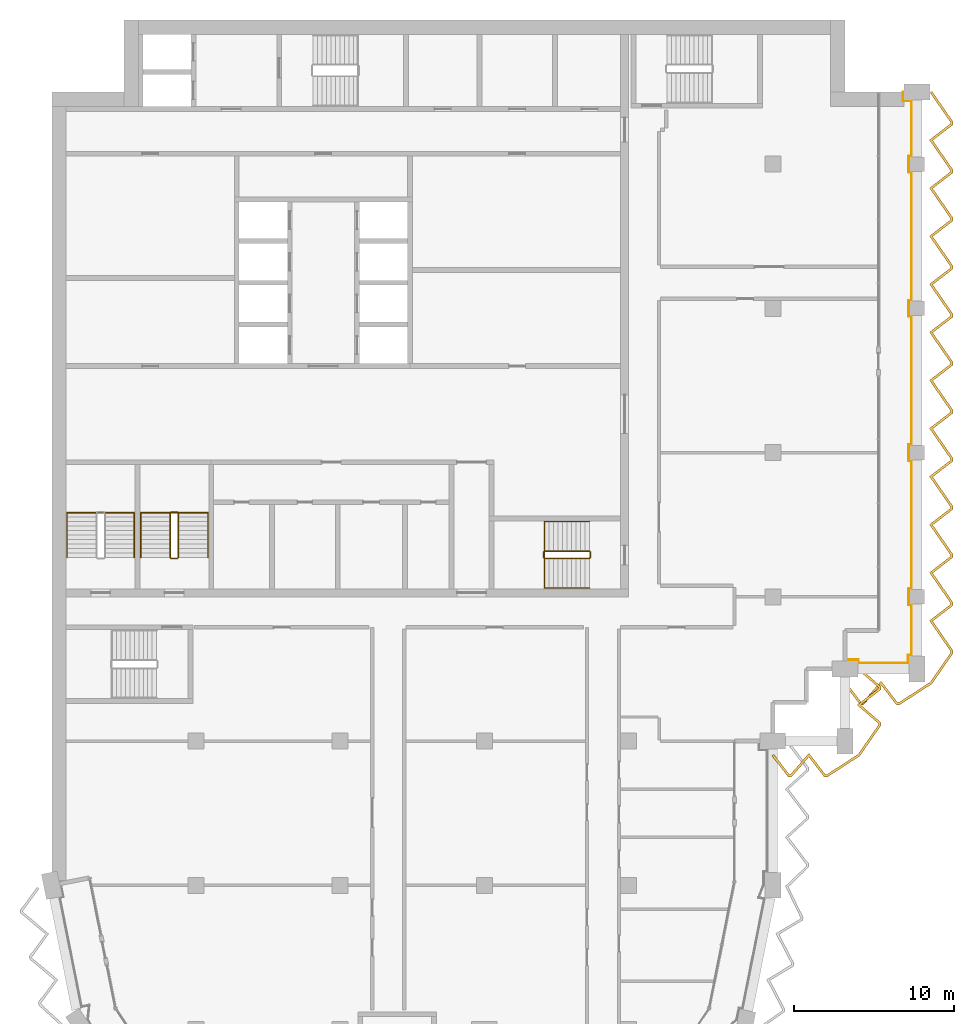
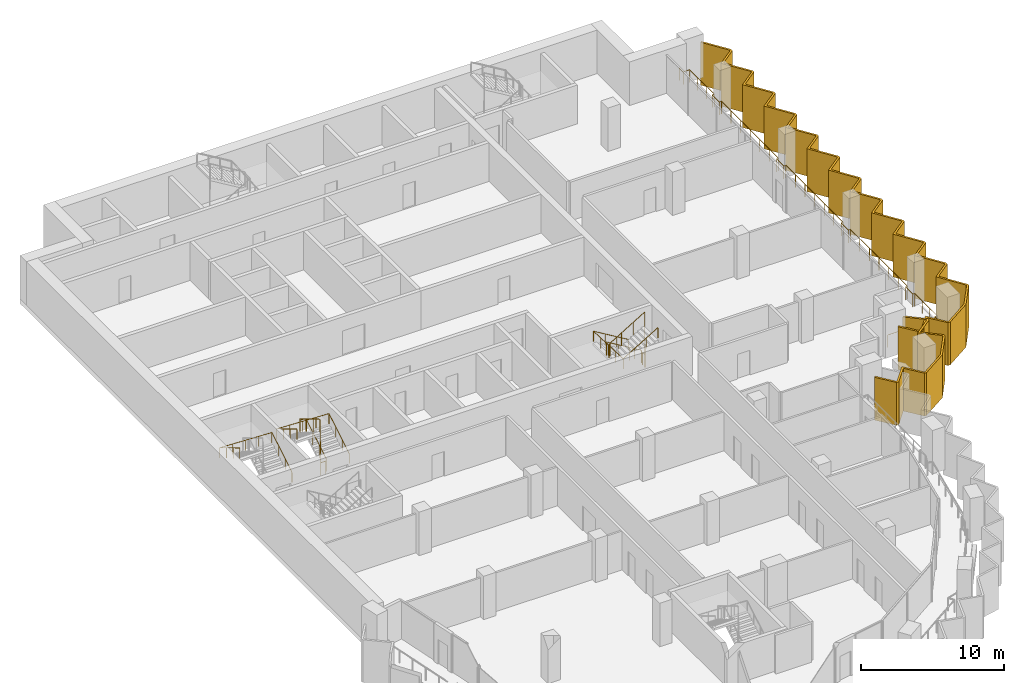
# One storey, part 15 of 16: 6 railings, 2 shading devices.
"""IFC4 building model written with IfcOpenShell, lengths in metres."""

from ifc_helpers import new_model, si_unit, direction, frame, origin, origin_2d, place, context, subcontext, project, spatial, polyline, circle, outline, extrude, material, layer, layer_set, type_object, element, save


model = new_model("IFC4")

# Units and contexts
model_context = context("Model", 3, precision=1e-05, world=origin(), true_north=direction((0.0, 1.0)))
body_context = subcontext(model_context, "Body", "Model", "MODEL_VIEW")
ifc_project = project(units=[si_unit("LENGTHUNIT", "METRE"), si_unit("AREAUNIT", "SQUARE_METRE"), si_unit("VOLUMEUNIT", "CUBIC_METRE"), si_unit("PLANEANGLEUNIT", "RADIAN"), si_unit("MASSUNIT", "GRAM", prefix="KILO")], contexts=[model_context])

# Site, building, storey
site_placement = place(None, origin())
site = spatial("IfcSite", under=ifc_project, at=site_placement, CompositionType="ELEMENT")
building_placement = place(site_placement, origin())
building = spatial("IfcBuilding", under=site, at=building_placement, Name="Hunhe Ridgeline Campus", CompositionType="ELEMENT")
storey_placement = place(building_placement, frame((0.0, 0.0, 261.39990234375)))
storey = spatial("IfcBuildingStorey", under=building, at=storey_placement, Name="L67", CompositionType="ELEMENT", Elevation=261.39990234375)

# Railing
ifc_material_1 = material(Name="Steel Q355", Category="steel")
railing_type_1 = type_object("IfcRailingType", Name="Loggia guard 1100 Steel Q355", PredefinedType="GUARDRAIL", material=ifc_material_1)
railing_1_placement = place(storey_placement, frame((49.5, 59.070068359375, 0.0)))
element("IfcRailing", 1, at=railing_1_placement, inside=storey, type_object=railing_type_1, Name="Loggia guard 2", PredefinedType="GUARDRAIL", context=body_context, shape_type="SweptSolid", body=[
    extrude(circle(Radius=0.02392578125, at=origin_2d()), frame((0.0, 0.0, 1.076171875), z_axis=(1.0, 0.0, 0.0), x_axis=(0.0, 1.0, 0.0)), (0.0, 0.0, 1.0), 0.85009765625),
    extrude(circle(Radius=0.02392578125, at=origin_2d()), frame((0.85009765625, 0.0, 1.076171875), z_axis=(0.0, -1.0, 0.0), x_axis=(1.0, 0.0, 0.0)), (0.0, 0.0, 1.0), 0.219970703125),
    extrude(circle(Radius=0.02392578125, at=origin_2d()), frame((0.85009765625, -0.219970703125, 1.076171875), z_axis=(1.0, 0.0, 0.0), x_axis=(0.0, 1.0, 0.0)), (0.0, 0.0, 1.0), 3.099853515625),
    extrude(circle(Radius=0.02392578125, at=origin_2d()), frame((3.949951171875, -0.219970703125, 1.076171875), z_axis=(0.0, 1.0, 0.0), x_axis=(-1.0, 0.0, 0.0)), (0.0, 0.0, 1.0), 0.52001953125),
    extrude(circle(Radius=0.02392578125, at=origin_2d()), frame((3.949951171875, 0.300048828125, 1.076171875), z_axis=(-0.066572895244, -0.99778156408, 0.0), x_axis=(0.99778156408, -0.066572895244, 0.0)), (0.0, 0.0, 1.0), 0.30078125),
    extrude(circle(Radius=0.02392578125, at=origin_2d()), frame((3.929931640625, 0.0, 1.076171875), z_axis=(0.0, 1.0, 0.0), x_axis=(-1.0, 0.0, 0.0)), (0.0, 0.0, 1.0), 0.280029296875),
    extrude(circle(Radius=0.02392578125, at=origin_2d()), frame((3.929931640625, 0.280029296875, 1.076171875), z_axis=(1.0, 0.0, 0.0), x_axis=(0.0, 1.0, 0.0)), (0.0, 0.0, 1.0), 0.219970703125),
    extrude(circle(Radius=0.02392578125, at=origin_2d()), frame((4.14990234375, 0.280029296875, 1.076171875), z_axis=(0.0, 1.0, 0.0), x_axis=(-1.0, 0.0, 0.0)), (0.0, 0.0, 1.0), 3.14990234375),
    extrude(circle(Radius=0.02392578125, at=origin_2d()), frame((4.14990234375, 3.429931640625, 1.076171875), z_axis=(-1.0, 0.0, 0.0), x_axis=(0.0, -1.0, 0.0)), (0.0, 0.0, 1.0), 0.169921875),
    extrude(circle(Radius=0.02392578125, at=origin_2d()), frame((3.97998046875, 3.429931640625, 1.076171875), z_axis=(0.0, 1.0, 0.0), x_axis=(-1.0, 0.0, 0.0)), (0.0, 0.0, 1.0), 1.0),
    extrude(circle(Radius=0.02392578125, at=origin_2d()), frame((3.97998046875, 4.429931640625, 1.076171875), z_axis=(1.0, 0.0, 0.0), x_axis=(0.0, 1.0, 0.0)), (0.0, 0.0, 1.0), 0.169921875),
    extrude(circle(Radius=0.02392578125, at=origin_2d()), frame((4.14990234375, 4.429931640625, 1.076171875), z_axis=(0.0, 1.0, 0.0), x_axis=(-1.0, 0.0, 0.0)), (0.0, 0.0, 1.0), 8.0),
    extrude(circle(Radius=0.02392578125, at=origin_2d()), frame((4.14990234375, 12.429931640625, 1.076171875), z_axis=(-1.0, 0.0, 0.0), x_axis=(0.0, -1.0, 0.0)), (0.0, 0.0, 1.0), 0.169921875),
    extrude(circle(Radius=0.02392578125, at=origin_2d()), frame((3.97998046875, 12.429931640625, 1.076171875), z_axis=(0.0, 1.0, 0.0), x_axis=(-1.0, 0.0, 0.0)), (0.0, 0.0, 1.0), 1.0),
    extrude(circle(Radius=0.02392578125, at=origin_2d()), frame((3.97998046875, 13.429931640625, 1.076171875), z_axis=(1.0, 0.0, 0.0), x_axis=(0.0, 1.0, 0.0)), (0.0, 0.0, 1.0), 0.169921875),
    extrude(circle(Radius=0.02392578125, at=origin_2d()), frame((4.14990234375, 13.429931640625, 1.076171875), z_axis=(0.0, 1.0, 0.0), x_axis=(-1.0, 0.0, 0.0)), (0.0, 0.0, 1.0), 8.0),
    extrude(circle(Radius=0.02392578125, at=origin_2d()), frame((4.14990234375, 21.429931640625, 1.076171875), z_axis=(-1.0, 0.0, 0.0), x_axis=(0.0, -1.0, 0.0)), (0.0, 0.0, 1.0), 0.169921875),
    extrude(circle(Radius=0.02392578125, at=origin_2d()), frame((3.97998046875, 21.429931640625, 1.076171875), z_axis=(0.0, 1.0, 0.0), x_axis=(-1.0, 0.0, 0.0)), (0.0, 0.0, 1.0), 1.0),
    extrude(circle(Radius=0.02392578125, at=origin_2d()), frame((3.97998046875, 22.429931640625, 1.076171875), z_axis=(1.0, 0.0, 0.0), x_axis=(0.0, 1.0, 0.0)), (0.0, 0.0, 1.0), 0.169921875),
    extrude(circle(Radius=0.02392578125, at=origin_2d()), frame((4.14990234375, 22.429931640625, 1.076171875), z_axis=(0.0, 1.0, 0.0), x_axis=(-1.0, 0.0, 0.0)), (0.0, 0.0, 1.0), 8.0),
    extrude(circle(Radius=0.02392578125, at=origin_2d()), frame((4.14990234375, 30.429931640625, 1.076171875), z_axis=(-1.0, 0.0, 0.0), x_axis=(0.0, -1.0, 0.0)), (0.0, 0.0, 1.0), 0.169921875),
    extrude(circle(Radius=0.02392578125, at=origin_2d()), frame((3.97998046875, 30.429931640625, 1.076171875), z_axis=(0.0, 1.0, 0.0), x_axis=(-1.0, 0.0, 0.0)), (0.0, 0.0, 1.0), 1.0),
    extrude(circle(Radius=0.02392578125, at=origin_2d()), frame((3.97998046875, 31.429931640625, 1.076171875), z_axis=(1.0, 0.0, 0.0), x_axis=(0.0, 1.0, 0.0)), (0.0, 0.0, 1.0), 0.169921875),
    extrude(circle(Radius=0.02392578125, at=origin_2d()), frame((4.14990234375, 31.429931640625, 1.076171875), z_axis=(0.0, 1.0, 0.0), x_axis=(-1.0, 0.0, 0.0)), (0.0, 0.0, 1.0), 3.449951171875),
    extrude(circle(Radius=0.02392578125, at=origin_2d()), frame((4.14990234375, 34.8798828125, 1.076171875), z_axis=(-1.0, 0.0, 0.0), x_axis=(0.0, -1.0, 0.0)), (0.0, 0.0, 1.0), 0.52001953125),
    extrude(circle(Radius=0.02392578125, at=origin_2d()), frame((3.6298828125, 34.8798828125, 1.076171875), z_axis=(0.0, 1.0, 0.0), x_axis=(-1.0, 0.0, 0.0)), (0.0, 0.0, 1.0), 0.550048828125),
    extrude(circle(Radius=0.02099609375, at=origin_2d()), origin(), (0.0, 0.0, 1.0), 1.052001953125),
    extrude(circle(Radius=0.02099609375, at=origin_2d()), frame((0.85009765625, 0.0, 0.0)), (0.0, 0.0, 1.0), 1.052001953125),
    extrude(circle(Radius=0.02099609375, at=origin_2d()), frame((0.85009765625, -0.219970703125, 0.0)), (0.0, 0.0, 1.0), 1.052001953125),
    extrude(circle(Radius=0.02099609375, at=origin_2d()), frame((1.88330078125, -0.219970703125, 0.0)), (0.0, 0.0, 1.0), 1.052001953125),
    extrude(circle(Radius=0.02099609375, at=origin_2d()), frame((2.916748046875, -0.219970703125, 0.0)), (0.0, 0.0, 1.0), 1.052001953125),
    extrude(circle(Radius=0.02099609375, at=origin_2d()), frame((3.949951171875, -0.219970703125, 0.0)), (0.0, 0.0, 1.0), 1.052001953125),
    extrude(circle(Radius=0.02099609375, at=origin_2d()), frame((3.949951171875, 0.300048828125, 0.0)), (0.0, 0.0, 1.0), 1.052001953125),
    extrude(circle(Radius=0.02099609375, at=origin_2d()), frame((3.929931640625, 0.0, 0.0)), (0.0, 0.0, 1.0), 1.052001953125),
    extrude(circle(Radius=0.02099609375, at=origin_2d()), frame((3.929931640625, 0.280029296875, 0.0)), (0.0, 0.0, 1.0), 1.052001953125),
    extrude(circle(Radius=0.02099609375, at=origin_2d()), frame((4.14990234375, 0.280029296875, 0.0)), (0.0, 0.0, 1.0), 1.052001953125),
    extrude(circle(Radius=0.02099609375, at=origin_2d()), frame((4.14990234375, 1.330078125, 0.0)), (0.0, 0.0, 1.0), 1.052001953125),
    extrude(circle(Radius=0.02099609375, at=origin_2d()), frame((4.14990234375, 2.3798828125, 0.0)), (0.0, 0.0, 1.0), 1.052001953125),
    extrude(circle(Radius=0.02099609375, at=origin_2d()), frame((4.14990234375, 3.429931640625, 0.0)), (0.0, 0.0, 1.0), 1.052001953125),
    extrude(circle(Radius=0.02099609375, at=origin_2d()), frame((3.97998046875, 3.429931640625, 0.0)), (0.0, 0.0, 1.0), 1.052001953125),
    extrude(circle(Radius=0.02099609375, at=origin_2d()), frame((3.97998046875, 4.429931640625, 0.0)), (0.0, 0.0, 1.0), 1.052001953125),
    extrude(circle(Radius=0.02099609375, at=origin_2d()), frame((4.14990234375, 4.429931640625, 0.0)), (0.0, 0.0, 1.0), 1.052001953125),
    extrude(circle(Radius=0.02099609375, at=origin_2d()), frame((4.14990234375, 5.76318359375, 0.0)), (0.0, 0.0, 1.0), 1.052001953125),
    extrude(circle(Radius=0.02099609375, at=origin_2d()), frame((4.14990234375, 7.0966796875, 0.0)), (0.0, 0.0, 1.0), 1.052001953125),
    extrude(circle(Radius=0.02099609375, at=origin_2d()), frame((4.14990234375, 8.429931640625, 0.0)), (0.0, 0.0, 1.0), 1.052001953125),
    extrude(circle(Radius=0.02099609375, at=origin_2d()), frame((4.14990234375, 9.76318359375, 0.0)), (0.0, 0.0, 1.0), 1.052001953125),
    extrude(circle(Radius=0.02099609375, at=origin_2d()), frame((4.14990234375, 11.0966796875, 0.0)), (0.0, 0.0, 1.0), 1.052001953125),
    extrude(circle(Radius=0.02099609375, at=origin_2d()), frame((4.14990234375, 12.429931640625, 0.0)), (0.0, 0.0, 1.0), 1.052001953125),
    extrude(circle(Radius=0.02099609375, at=origin_2d()), frame((3.97998046875, 12.429931640625, 0.0)), (0.0, 0.0, 1.0), 1.052001953125),
    extrude(circle(Radius=0.02099609375, at=origin_2d()), frame((3.97998046875, 13.429931640625, 0.0)), (0.0, 0.0, 1.0), 1.052001953125),
    extrude(circle(Radius=0.02099609375, at=origin_2d()), frame((4.14990234375, 13.429931640625, 0.0)), (0.0, 0.0, 1.0), 1.052001953125),
    extrude(circle(Radius=0.02099609375, at=origin_2d()), frame((4.14990234375, 14.76318359375, 0.0)), (0.0, 0.0, 1.0), 1.052001953125),
    extrude(circle(Radius=0.02099609375, at=origin_2d()), frame((4.14990234375, 16.0966796875, 0.0)), (0.0, 0.0, 1.0), 1.052001953125),
    extrude(circle(Radius=0.02099609375, at=origin_2d()), frame((4.14990234375, 17.429931640625, 0.0)), (0.0, 0.0, 1.0), 1.052001953125),
    extrude(circle(Radius=0.02099609375, at=origin_2d()), frame((4.14990234375, 18.76318359375, 0.0)), (0.0, 0.0, 1.0), 1.052001953125),
    extrude(circle(Radius=0.02099609375, at=origin_2d()), frame((4.14990234375, 20.0966796875, 0.0)), (0.0, 0.0, 1.0), 1.052001953125),
    extrude(circle(Radius=0.02099609375, at=origin_2d()), frame((4.14990234375, 21.429931640625, 0.0)), (0.0, 0.0, 1.0), 1.052001953125),
    extrude(circle(Radius=0.02099609375, at=origin_2d()), frame((3.97998046875, 21.429931640625, 0.0)), (0.0, 0.0, 1.0), 1.052001953125),
    extrude(circle(Radius=0.02099609375, at=origin_2d()), frame((3.97998046875, 22.429931640625, 0.0)), (0.0, 0.0, 1.0), 1.052001953125),
    extrude(circle(Radius=0.02099609375, at=origin_2d()), frame((4.14990234375, 22.429931640625, 0.0)), (0.0, 0.0, 1.0), 1.052001953125),
    extrude(circle(Radius=0.02099609375, at=origin_2d()), frame((4.14990234375, 23.76318359375, 0.0)), (0.0, 0.0, 1.0), 1.052001953125),
    extrude(circle(Radius=0.02099609375, at=origin_2d()), frame((4.14990234375, 25.0966796875, 0.0)), (0.0, 0.0, 1.0), 1.052001953125),
    extrude(circle(Radius=0.02099609375, at=origin_2d()), frame((4.14990234375, 26.429931640625, 0.0)), (0.0, 0.0, 1.0), 1.052001953125),
    extrude(circle(Radius=0.02099609375, at=origin_2d()), frame((4.14990234375, 27.76318359375, 0.0)), (0.0, 0.0, 1.0), 1.052001953125),
    extrude(circle(Radius=0.02099609375, at=origin_2d()), frame((4.14990234375, 29.0966796875, 0.0)), (0.0, 0.0, 1.0), 1.052001953125),
    extrude(circle(Radius=0.02099609375, at=origin_2d()), frame((4.14990234375, 30.429931640625, 0.0)), (0.0, 0.0, 1.0), 1.052001953125),
    extrude(circle(Radius=0.02099609375, at=origin_2d()), frame((3.97998046875, 30.429931640625, 0.0)), (0.0, 0.0, 1.0), 1.052001953125),
    extrude(circle(Radius=0.02099609375, at=origin_2d()), frame((3.97998046875, 31.429931640625, 0.0)), (0.0, 0.0, 1.0), 1.052001953125),
    extrude(circle(Radius=0.02099609375, at=origin_2d()), frame((4.14990234375, 31.429931640625, 0.0)), (0.0, 0.0, 1.0), 1.052001953125),
    extrude(circle(Radius=0.02099609375, at=origin_2d()), frame((4.14990234375, 32.579833984375, 0.0)), (0.0, 0.0, 1.0), 1.052001953125),
    extrude(circle(Radius=0.02099609375, at=origin_2d()), frame((4.14990234375, 33.72998046875, 0.0)), (0.0, 0.0, 1.0), 1.052001953125),
    extrude(circle(Radius=0.02099609375, at=origin_2d()), frame((4.14990234375, 34.8798828125, 0.0)), (0.0, 0.0, 1.0), 1.052001953125),
    extrude(circle(Radius=0.02099609375, at=origin_2d()), frame((3.6298828125, 34.8798828125, 0.0)), (0.0, 0.0, 1.0), 1.052001953125),
    extrude(circle(Radius=0.02099609375, at=origin_2d()), frame((3.6298828125, 35.429931640625, 0.0)), (0.0, 0.0, 1.0), 1.052001953125),
])

# Shading devices
ifc_material_2 = material(Name="Concrete C50", Category="concrete")
ifc_layer = layer(ifc_material_2, 0.14990234375)
ifc_layer_set = layer_set([ifc_layer], Name="Sawtooth concrete fin 150 Concrete C50")
shading_device_type = type_object("IfcShadingDeviceType", Name="Sawtooth concrete fin 150 Concrete C50", PredefinedType="USERDEFINED", material=ifc_layer_set)
shading_device_1_placement = place(storey_placement, frame((0.0, 0.0, -0.949951171875)))
element("IfcShadingDevice", 2, at=shading_device_1_placement, inside=storey, type_object=shading_device_type, Name="Concrete fin screen 2", ObjectType="FIN", PredefinedType="USERDEFINED", context=body_context, shape_type="SweptSolid", body=[
    extrude(outline(polyline([(45.059326171875, 53.1708984375), (44.940673828125, 53.0791015625), (45.965087890625, 51.75), (46.15625, 51.75), (47.24658203125, 53.006591796875), (48.215087890625, 51.75), (48.394287109375, 51.75), (50.42822265625, 53.070068359375), (51.75, 54.978515625), (51.75, 55.15625), (50.493408203125, 56.24658203125), (51.75, 57.215087890625), (51.75, 57.40625), (50.424072265625, 58.556640625), (50.325927734375, 58.443359375), (51.60009765625, 57.337890625), (51.60009765625, 57.288818359375), (50.256591796875, 56.25341796875), (51.60009765625, 55.087890625), (51.60009765625, 55.025390625), (50.32177734375, 53.179931640625), (48.349853515625, 51.89990234375), (48.288818359375, 51.89990234375), (47.25341796875, 53.243408203125), (46.087890625, 51.89990234375), (46.038818359375, 51.89990234375), (45.059326171875, 53.1708984375)])), origin(), (0.0, 0.0, 1.0), 3.650146484375),
])
shading_device_2_placement = place(storey_placement, frame((0.0, 0.0, -0.949951171875)))
element("IfcShadingDevice", 3, at=shading_device_2_placement, inside=storey, type_object=shading_device_type, Name="Concrete fin screen 3", ObjectType="FIN", PredefinedType="USERDEFINED", context=body_context, shape_type="SweptSolid", body=[
    extrude(outline(polyline([(49.559326171875, 57.6708984375), (49.440673828125, 57.5791015625), (50.465087890625, 56.25), (50.65625, 56.25), (51.74658203125, 57.506591796875), (52.715087890625, 56.25), (52.894287109375, 56.25), (54.92822265625, 57.570068359375), (56.25, 59.478515625), (56.25, 59.6455078125), (54.977294921875, 61.484130859375), (56.25, 62.465087890625), (56.25, 62.6455078125), (54.977294921875, 64.484130859375), (56.25, 65.465087890625), (56.25, 65.6455078125), (54.977294921875, 67.484130859375), (56.25, 68.465087890625), (56.25, 68.6455078125), (54.977294921875, 70.484130859375), (56.25, 71.465087890625), (56.25, 71.6455078125), (54.977294921875, 73.484130859375), (56.25, 74.465087890625), (56.25, 74.6455078125), (54.977294921875, 76.484130859375), (56.25, 77.465087890625), (56.25, 77.6455078125), (54.977294921875, 79.484130859375), (56.25, 80.465087890625), (56.25, 80.6455078125), (54.977294921875, 82.484130859375), (56.25, 83.465087890625), (56.25, 83.6455078125), (54.977294921875, 85.484130859375), (56.25, 86.465087890625), (56.25, 86.6455078125), (54.977294921875, 88.484130859375), (56.25, 89.465087890625), (56.25, 89.6455078125), (54.977294921875, 91.484130859375), (56.25, 92.465087890625), (56.25, 92.6455078125), (54.936767578125, 94.542724609375), (54.813232421875, 94.457275390625), (56.10009765625, 92.5986328125), (56.10009765625, 92.538818359375), (54.772705078125, 91.515869140625), (56.10009765625, 89.5986328125), (56.10009765625, 89.538818359375), (54.772705078125, 88.515869140625), (56.10009765625, 86.5986328125), (56.10009765625, 86.538818359375), (54.772705078125, 85.515869140625), (56.10009765625, 83.5986328125), (56.10009765625, 83.538818359375), (54.772705078125, 82.515869140625), (56.10009765625, 80.5986328125), (56.10009765625, 80.538818359375), (54.772705078125, 79.515869140625), (56.10009765625, 77.5986328125), (56.10009765625, 77.538818359375), (54.772705078125, 76.515869140625), (56.10009765625, 74.5986328125), (56.10009765625, 74.538818359375), (54.772705078125, 73.515869140625), (56.10009765625, 71.5986328125), (56.10009765625, 71.538818359375), (54.772705078125, 70.515869140625), (56.10009765625, 68.5986328125), (56.10009765625, 68.538818359375), (54.772705078125, 67.515869140625), (56.10009765625, 65.5986328125), (56.10009765625, 65.538818359375), (54.772705078125, 64.515869140625), (56.10009765625, 62.5986328125), (56.10009765625, 62.538818359375), (54.772705078125, 61.515869140625), (56.10009765625, 59.5986328125), (56.10009765625, 59.525390625), (54.82177734375, 57.679931640625), (52.849853515625, 56.39990234375), (52.788818359375, 56.39990234375), (51.75341796875, 57.743408203125), (50.587890625, 56.39990234375), (50.538818359375, 56.39990234375), (49.559326171875, 57.6708984375)])), origin(), (0.0, 0.0, 1.0), 3.650146484375),
])

# Railings
ifc_material_3 = material(Name="Stainless steel balustrade", Category="steel")
railing_type_2 = type_object("IfcRailingType", Name="Stair guard 1100 stainless", PredefinedType="GUARDRAIL", material=ifc_material_3)
railing_2_placement = place(storey_placement, frame((33.550048828125, 65.85009765625, 0.168212890625)))
element("IfcRailing", 4, at=railing_2_placement, inside=storey, type_object=railing_type_2, Name="L67 stair S2 guard", PredefinedType="GUARDRAIL", context=body_context, shape_type="SweptSolid", body=[
    extrude(circle(Radius=0.02392578125, at=origin_2d()), frame((0.0, 0.0, 1.076171875), z_axis=(-0.857242210791, 0.0, 0.514913383045), x_axis=(0.0, -1.0, 0.0)), (0.0, 0.0, 1.0), 3.266357421875),
    extrude(circle(Radius=0.02392578125, at=origin_2d()), frame((-2.800048828125, 0.0, 2.7578125), z_axis=(-0.707106781187, -0.707106781187, 0.0), x_axis=(0.707106781187, -0.707106781187, 0.0)), (0.0, 0.0, 1.0), 0.07080078125),
    extrude(circle(Radius=0.02392578125, at=origin_2d()), frame((-2.85009765625, -0.050048828125, 2.7578125), z_axis=(0.0, -1.0, 0.0), x_axis=(1.0, 0.0, 0.0)), (0.0, 0.0, 1.0), 0.35009765625),
    extrude(circle(Radius=0.02392578125, at=origin_2d()), frame((-2.85009765625, -0.400146484375, 2.7578125), z_axis=(0.274243871929, -0.274243871929, 0.92172696468), x_axis=(0.707106781187, 0.707106781187, 0.0)), (0.0, 0.0, 1.0), 0.1826171875),
    extrude(circle(Radius=0.02392578125, at=origin_2d()), frame((-2.800048828125, -0.4501953125, 2.92626953125), z_axis=(0.857242210791, 0.0, 0.514913383045), x_axis=(0.0, 1.0, 0.0)), (0.0, 0.0, 1.0), 3.266357421875),
    extrude(circle(Radius=0.02392578125, at=origin_2d()), frame((0.0, -0.4501953125, 4.60791015625), z_axis=(0.013523522368, 0.013523522368, -0.999817097616), x_axis=(-0.707106781187, 0.707106781187, 0.0)), (0.0, 0.0, 1.0), 3.700927734375),
    extrude(circle(Radius=0.02392578125, at=origin_2d()), frame((0.050048828125, -0.400146484375, 0.90771484375), z_axis=(0.0, 1.0, 0.0), x_axis=(-1.0, 0.0, 0.0)), (0.0, 0.0, 1.0), 0.35009765625),
    extrude(circle(Radius=0.02099609375, at=origin_2d()), origin(), (0.0, 0.0, 1.0), 1.052001953125),
    extrude(circle(Radius=0.02099609375, at=origin_2d()), frame((-0.933349609375, 0.0, 0.560546875)), (0.0, 0.0, 1.0), 1.052001953125),
    extrude(circle(Radius=0.02099609375, at=origin_2d()), frame((-1.86669921875, 0.0, 1.121337890625)), (0.0, 0.0, 1.0), 1.052001953125),
    extrude(circle(Radius=0.02099609375, at=origin_2d()), frame((-2.800048828125, 0.0, 1.681884765625)), (0.0, 0.0, 1.0), 1.052001953125),
    extrude(circle(Radius=0.02099609375, at=origin_2d()), frame((-2.85009765625, -0.050048828125, 1.681884765625)), (0.0, 0.0, 1.0), 1.052001953125),
    extrude(circle(Radius=0.02099609375, at=origin_2d()), frame((-2.85009765625, -0.400146484375, 1.681884765625)), (0.0, 0.0, 1.0), 1.052001953125),
    extrude(circle(Radius=0.02099609375, at=origin_2d()), frame((-2.800048828125, -0.4501953125, 1.85009765625)), (0.0, 0.0, 1.0), 1.052001953125),
    extrude(circle(Radius=0.02099609375, at=origin_2d()), frame((-1.86669921875, -0.4501953125, 2.41064453125)), (0.0, 0.0, 1.0), 1.052001953125),
    extrude(circle(Radius=0.02099609375, at=origin_2d()), frame((-0.933349609375, -0.4501953125, 2.971435546875)), (0.0, 0.0, 1.0), 1.052001953125),
    extrude(circle(Radius=0.02099609375, at=origin_2d()), frame((0.0, -0.4501953125, 3.531982421875)), (0.0, 0.0, 1.0), 1.052001953125),
    extrude(circle(Radius=0.02099609375, at=origin_2d()), frame((0.012451171875, -0.437744140625, 2.60693359375)), (0.0, 0.0, 1.0), 1.052001953125),
    extrude(circle(Radius=0.02099609375, at=origin_2d()), frame((0.02490234375, -0.42529296875, 1.681884765625)), (0.0, 0.0, 1.0), 1.052001953125),
    extrude(circle(Radius=0.02099609375, at=origin_2d()), frame((0.03759765625, -0.41259765625, 0.7568359375)), (0.0, 0.0, 1.0), 1.052001953125),
    extrude(circle(Radius=0.02099609375, at=origin_2d()), frame((0.050048828125, -0.400146484375, -0.168212890625)), (0.0, 0.0, 1.0), 1.052001953125),
    extrude(circle(Radius=0.02099609375, at=origin_2d()), frame((0.050048828125, -0.050048828125, -0.168212890625)), (0.0, 0.0, 1.0), 1.052001953125),
])
railing_3_placement = place(storey_placement, frame((7.89990234375, 65.449951171875, 0.168212890625)))
element("IfcRailing", 5, at=railing_3_placement, inside=storey, type_object=railing_type_2, Name="L67 stair S4 guard", PredefinedType="GUARDRAIL", context=body_context, shape_type="SweptSolid", body=[
    extrude(circle(Radius=0.02392578125, at=origin_2d()), frame((0.0, 0.0, 1.076171875), z_axis=(0.0, 0.857242210791, 0.514913383045), x_axis=(-1.0, 0.0, 0.0)), (0.0, 0.0, 1.0), 3.266357421875),
    extrude(circle(Radius=0.02392578125, at=origin_2d()), frame((0.0, 2.800048828125, 2.7578125), z_axis=(-0.705375805398, 0.708833529934, 0.0), x_axis=(-0.708833529934, -0.705375805398, 0.0)), (0.0, 0.0, 1.0), 0.070556640625),
    extrude(circle(Radius=0.02392578125, at=origin_2d()), frame((-0.0498046875, 2.85009765625, 2.7578125), z_axis=(-1.0, 0.0, 0.0), x_axis=(0.0, -1.0, 0.0)), (0.0, 0.0, 1.0), 0.400146484375),
    extrude(circle(Radius=0.02392578125, at=origin_2d()), frame((-0.449951171875, 2.85009765625, 2.7578125), z_axis=(-0.274243871929, -0.274243871929, 0.92172696468), x_axis=(0.707106781187, -0.707106781187, 0.0)), (0.0, 0.0, 1.0), 0.1826171875),
    extrude(circle(Radius=0.02392578125, at=origin_2d()), frame((-0.5, 2.800048828125, 2.92626953125), z_axis=(0.0, -0.857242210791, 0.514913383045), x_axis=(1.0, 0.0, 0.0)), (0.0, 0.0, 1.0), 3.266357421875),
    extrude(circle(Radius=0.02392578125, at=origin_2d()), frame((-0.5, 0.0, 4.60791015625), z_axis=(0.013523522368, -0.013523522368, -0.999817097616), x_axis=(0.707106781187, 0.707106781187, 0.0)), (0.0, 0.0, 1.0), 3.700927734375),
    extrude(circle(Radius=0.02392578125, at=origin_2d()), frame((-0.449951171875, -0.050048828125, 0.90771484375), z_axis=(1.0, 0.0, 0.0), x_axis=(0.0, 1.0, 0.0)), (0.0, 0.0, 1.0), 0.400146484375),
    extrude(circle(Radius=0.02099609375, at=origin_2d()), origin(), (0.0, 0.0, 1.0), 1.052001953125),
    extrude(circle(Radius=0.02099609375, at=origin_2d()), frame((0.0, 0.933349609375, 0.560546875)), (0.0, 0.0, 1.0), 1.052001953125),
    extrude(circle(Radius=0.02099609375, at=origin_2d()), frame((0.0, 1.86669921875, 1.121337890625)), (0.0, 0.0, 1.0), 1.052001953125),
    extrude(circle(Radius=0.02099609375, at=origin_2d()), frame((0.0, 2.800048828125, 1.681884765625)), (0.0, 0.0, 1.0), 1.052001953125),
    extrude(circle(Radius=0.02099609375, at=origin_2d()), frame((-0.0498046875, 2.85009765625, 1.681884765625)), (0.0, 0.0, 1.0), 1.052001953125),
    extrude(circle(Radius=0.02099609375, at=origin_2d()), frame((-0.449951171875, 2.85009765625, 1.681884765625)), (0.0, 0.0, 1.0), 1.052001953125),
    extrude(circle(Radius=0.02099609375, at=origin_2d()), frame((-0.5, 2.800048828125, 1.85009765625)), (0.0, 0.0, 1.0), 1.052001953125),
    extrude(circle(Radius=0.02099609375, at=origin_2d()), frame((-0.5, 1.86669921875, 2.41064453125)), (0.0, 0.0, 1.0), 1.052001953125),
    extrude(circle(Radius=0.02099609375, at=origin_2d()), frame((-0.5, 0.933349609375, 2.971435546875)), (0.0, 0.0, 1.0), 1.052001953125),
    extrude(circle(Radius=0.02099609375, at=origin_2d()), frame((-0.5, 0.0, 3.531982421875)), (0.0, 0.0, 1.0), 1.052001953125),
    extrude(circle(Radius=0.02099609375, at=origin_2d()), frame((-0.487548828125, -0.012451171875, 2.60693359375)), (0.0, 0.0, 1.0), 1.052001953125),
    extrude(circle(Radius=0.02099609375, at=origin_2d()), frame((-0.47509765625, -0.02490234375, 1.681884765625)), (0.0, 0.0, 1.0), 1.052001953125),
    extrude(circle(Radius=0.02099609375, at=origin_2d()), frame((-0.46240234375, -0.03759765625, 0.7568359375)), (0.0, 0.0, 1.0), 1.052001953125),
    extrude(circle(Radius=0.02099609375, at=origin_2d()), frame((-0.449951171875, -0.050048828125, -0.168212890625)), (0.0, 0.0, 1.0), 1.052001953125),
    extrude(circle(Radius=0.02099609375, at=origin_2d()), frame((-0.0498046875, -0.050048828125, -0.168212890625)), (0.0, 0.0, 1.0), 1.052001953125),
])
ifc_material_4 = material(Name="Stainless steel handrail", Category="steel")
railing_type_3 = type_object("IfcRailingType", Name="Stair handrail 900 stainless", PredefinedType="HANDRAIL", material=ifc_material_4)
railing_4_placement = place(storey_placement, frame((33.550048828125, 67.699951171875, 0.168212890625)))
element("IfcRailing", 6, at=railing_4_placement, inside=storey, type_object=railing_type_3, Name="L67 stair S2 handrail", PredefinedType="HANDRAIL", context=body_context, shape_type="SweptSolid", body=[
    extrude(circle(Radius=0.02392578125, at=origin_2d()), frame((0.0, 0.0, 0.8759765625), z_axis=(-0.857242210791, 0.0, 0.514913383045), x_axis=(0.0, -1.0, 0.0)), (0.0, 0.0, 1.0), 3.266357421875),
    extrude(circle(Radius=0.02392578125, at=origin_2d()), frame((-2.800048828125, 0.0, 2.5576171875), z_axis=(0.0, -0.99917950104, 0.040500922239), x_axis=(1.0, 0.0, 0.0)), (0.0, 0.0, 1.0), 4.1533203125),
    extrude(circle(Radius=0.02392578125, at=origin_2d()), frame((-2.800048828125, -4.14990234375, 2.72607421875), z_axis=(0.857242210791, 0.0, 0.514913383045), x_axis=(0.0, 1.0, 0.0)), (0.0, 0.0, 1.0), 3.266357421875),
    extrude(circle(Radius=0.02099609375, at=origin_2d()), origin(), (0.0, 0.0, 1.0), 0.851806640625),
    extrude(circle(Radius=0.02099609375, at=origin_2d()), frame((-0.933349609375, 0.0, 0.560546875)), (0.0, 0.0, 1.0), 0.851806640625),
    extrude(circle(Radius=0.02099609375, at=origin_2d()), frame((-1.86669921875, 0.0, 1.121337890625)), (0.0, 0.0, 1.0), 0.851806640625),
    extrude(circle(Radius=0.02099609375, at=origin_2d()), frame((-2.800048828125, 0.0, 1.681884765625)), (0.0, 0.0, 1.0), 0.851806640625),
    extrude(circle(Radius=0.02099609375, at=origin_2d()), frame((-2.800048828125, -1.03759765625, 1.723876953125)), (0.0, 0.0, 1.0), 0.851806640625),
    extrude(circle(Radius=0.02099609375, at=origin_2d()), frame((-2.800048828125, -2.074951171875, 1.76611328125)), (0.0, 0.0, 1.0), 0.851806640625),
    extrude(circle(Radius=0.02099609375, at=origin_2d()), frame((-2.800048828125, -3.1123046875, 1.80810546875)), (0.0, 0.0, 1.0), 0.851806640625),
    extrude(circle(Radius=0.02099609375, at=origin_2d()), frame((-2.800048828125, -4.14990234375, 1.85009765625)), (0.0, 0.0, 1.0), 0.851806640625),
    extrude(circle(Radius=0.02099609375, at=origin_2d()), frame((-1.86669921875, -4.14990234375, 2.41064453125)), (0.0, 0.0, 1.0), 0.851806640625),
    extrude(circle(Radius=0.02099609375, at=origin_2d()), frame((-0.933349609375, -4.14990234375, 2.971435546875)), (0.0, 0.0, 1.0), 0.851806640625),
    extrude(circle(Radius=0.02099609375, at=origin_2d()), frame((0.0, -4.14990234375, 3.531982421875)), (0.0, 0.0, 1.0), 0.851806640625),
])
railing_5_placement = place(storey_placement, frame((5.14990234375, 65.449951171875, 0.168212890625)))
element("IfcRailing", 7, at=railing_5_placement, inside=storey, type_object=railing_type_3, Name="L67 stair S3 handrail", PredefinedType="HANDRAIL", context=body_context, shape_type="SweptSolid", body=[
    extrude(circle(Radius=0.02392578125, at=origin_2d()), frame((0.0, 0.0, 0.8759765625), z_axis=(0.0, 0.857242210791, 0.514913383045), x_axis=(-1.0, 0.0, 0.0)), (0.0, 0.0, 1.0), 3.266357421875),
    extrude(circle(Radius=0.02392578125, at=origin_2d()), frame((0.0, 2.800048828125, 2.5576171875), z_axis=(-0.999198916169, 0.0, 0.040019069537), x_axis=(0.0, -1.0, 0.0)), (0.0, 0.0, 1.0), 4.203369140625),
    extrude(circle(Radius=0.02392578125, at=origin_2d()), frame((-4.199951171875, 2.800048828125, 2.72607421875), z_axis=(0.0, -0.857242210791, 0.514913383045), x_axis=(1.0, 0.0, 0.0)), (0.0, 0.0, 1.0), 3.266357421875),
    extrude(circle(Radius=0.02099609375, at=origin_2d()), origin(), (0.0, 0.0, 1.0), 0.851806640625),
    extrude(circle(Radius=0.02099609375, at=origin_2d()), frame((0.0, 0.933349609375, 0.560546875)), (0.0, 0.0, 1.0), 0.851806640625),
    extrude(circle(Radius=0.02099609375, at=origin_2d()), frame((0.0, 1.86669921875, 1.121337890625)), (0.0, 0.0, 1.0), 0.851806640625),
    extrude(circle(Radius=0.02099609375, at=origin_2d()), frame((0.0, 2.800048828125, 1.681884765625)), (0.0, 0.0, 1.0), 0.851806640625),
    extrude(circle(Radius=0.02099609375, at=origin_2d()), frame((-1.050048828125, 2.800048828125, 1.723876953125)), (0.0, 0.0, 1.0), 0.851806640625),
    extrude(circle(Radius=0.02099609375, at=origin_2d()), frame((-2.10009765625, 2.800048828125, 1.76611328125)), (0.0, 0.0, 1.0), 0.851806640625),
    extrude(circle(Radius=0.02099609375, at=origin_2d()), frame((-3.14990234375, 2.800048828125, 1.80810546875)), (0.0, 0.0, 1.0), 0.851806640625),
    extrude(circle(Radius=0.02099609375, at=origin_2d()), frame((-4.199951171875, 2.800048828125, 1.85009765625)), (0.0, 0.0, 1.0), 0.851806640625),
    extrude(circle(Radius=0.02099609375, at=origin_2d()), frame((-4.199951171875, 1.86669921875, 2.41064453125)), (0.0, 0.0, 1.0), 0.851806640625),
    extrude(circle(Radius=0.02099609375, at=origin_2d()), frame((-4.199951171875, 0.933349609375, 2.971435546875)), (0.0, 0.0, 1.0), 0.851806640625),
    extrude(circle(Radius=0.02099609375, at=origin_2d()), frame((-4.199951171875, 0.0, 3.531982421875)), (0.0, 0.0, 1.0), 0.851806640625),
])
railing_6_placement = place(storey_placement, frame((9.75, 65.449951171875, 0.168212890625)))
element("IfcRailing", 8, at=railing_6_placement, inside=storey, type_object=railing_type_3, Name="L67 stair S4 handrail", PredefinedType="HANDRAIL", context=body_context, shape_type="SweptSolid", body=[
    extrude(circle(Radius=0.02392578125, at=origin_2d()), frame((0.0, 0.0, 0.8759765625), z_axis=(0.0, 0.857242210791, 0.514913383045), x_axis=(-1.0, 0.0, 0.0)), (0.0, 0.0, 1.0), 3.266357421875),
    extrude(circle(Radius=0.02392578125, at=origin_2d()), frame((0.0, 2.800048828125, 2.5576171875), z_axis=(-0.999198916169, 0.0, 0.040019069537), x_axis=(0.0, -1.0, 0.0)), (0.0, 0.0, 1.0), 4.203369140625),
    extrude(circle(Radius=0.02392578125, at=origin_2d()), frame((-4.199951171875, 2.800048828125, 2.72607421875), z_axis=(0.0, -0.857242210791, 0.514913383045), x_axis=(1.0, 0.0, 0.0)), (0.0, 0.0, 1.0), 3.266357421875),
    extrude(circle(Radius=0.02099609375, at=origin_2d()), origin(), (0.0, 0.0, 1.0), 0.851806640625),
    extrude(circle(Radius=0.02099609375, at=origin_2d()), frame((0.0, 0.933349609375, 0.560546875)), (0.0, 0.0, 1.0), 0.851806640625),
    extrude(circle(Radius=0.02099609375, at=origin_2d()), frame((0.0, 1.86669921875, 1.121337890625)), (0.0, 0.0, 1.0), 0.851806640625),
    extrude(circle(Radius=0.02099609375, at=origin_2d()), frame((0.0, 2.800048828125, 1.681884765625)), (0.0, 0.0, 1.0), 0.851806640625),
    extrude(circle(Radius=0.02099609375, at=origin_2d()), frame((-1.050048828125, 2.800048828125, 1.723876953125)), (0.0, 0.0, 1.0), 0.851806640625),
    extrude(circle(Radius=0.02099609375, at=origin_2d()), frame((-2.10009765625, 2.800048828125, 1.76611328125)), (0.0, 0.0, 1.0), 0.851806640625),
    extrude(circle(Radius=0.02099609375, at=origin_2d()), frame((-3.14990234375, 2.800048828125, 1.80810546875)), (0.0, 0.0, 1.0), 0.851806640625),
    extrude(circle(Radius=0.02099609375, at=origin_2d()), frame((-4.199951171875, 2.800048828125, 1.85009765625)), (0.0, 0.0, 1.0), 0.851806640625),
    extrude(circle(Radius=0.02099609375, at=origin_2d()), frame((-4.199951171875, 1.86669921875, 2.41064453125)), (0.0, 0.0, 1.0), 0.851806640625),
    extrude(circle(Radius=0.02099609375, at=origin_2d()), frame((-4.199951171875, 0.933349609375, 2.971435546875)), (0.0, 0.0, 1.0), 0.851806640625),
    extrude(circle(Radius=0.02099609375, at=origin_2d()), frame((-4.199951171875, 0.0, 3.531982421875)), (0.0, 0.0, 1.0), 0.851806640625),
])

save(model, "model.ifc")
